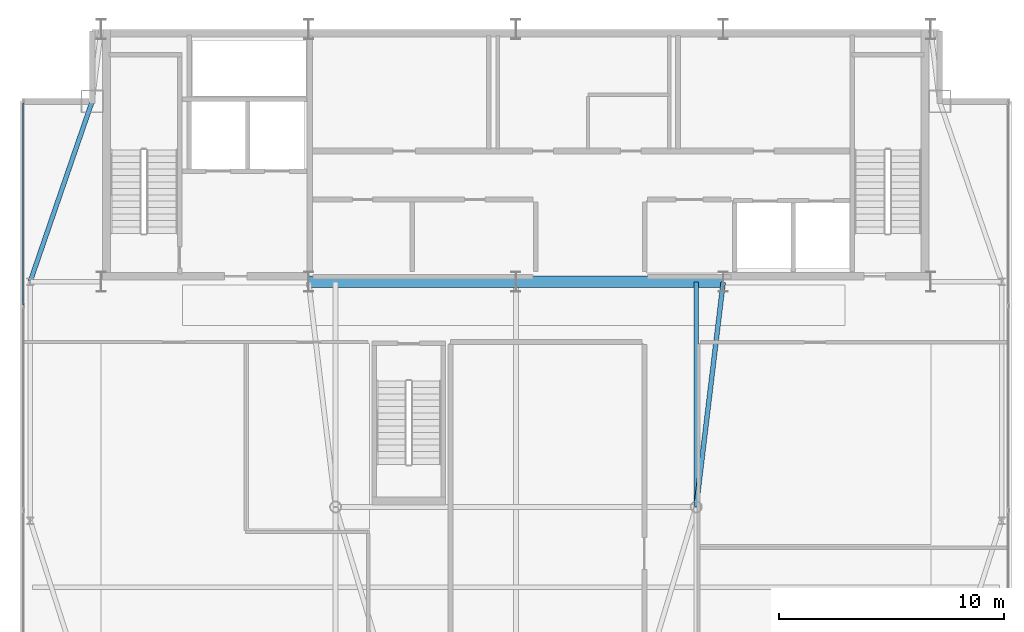
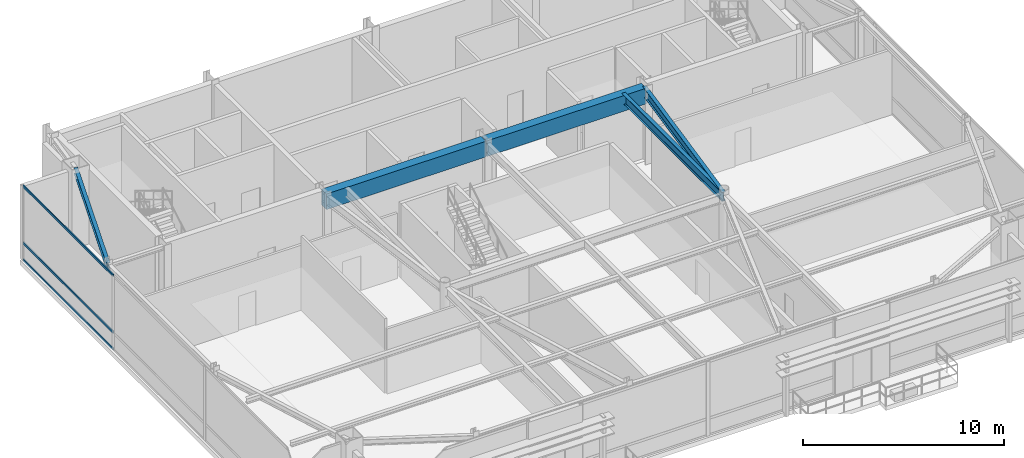
# One storey, part 10 of 22: 5 beams, 3 members, 1 element without a shape of its own.
"""IFC4 building model written with IfcOpenShell, lengths in metres."""

import ifcopenshell
import ifcopenshell.guid

model = None  # the IFC model being written
_history = None  # IfcOwnerHistory: only IFC2X3 demands one
_inside = {}  # id of a spatial element -> (the spatial element, [elements in it])
_under = {}  # id of a project, library or spatial element -> (it, [spatial elements below it])
_declared = {}  # id of a project -> (the project, [libraries it declares])
_typed = {}  # id of a type object -> (the type object, [elements of that type])
_made_of = {}  # id of a material, layer set ... -> (it, [elements and type objects made of it])


def new_model(schema):
    """Start an empty IFC model of exactly this schema.

    Asked for "IFC4X3", IfcOpenShell would pick the latest addendum, in which some entities
    have other attributes; the version numbers below select the first issue.
    IFC2X3 requires an IfcOwnerHistory on every rooted entity: one is made here for all.
    """
    global model, _history
    if schema == "IFC4X3":
        model = ifcopenshell.file(schema_version=(4, 3, 0, 0))
    else:
        model = ifcopenshell.file(schema=schema)
    _inside.clear()
    _under.clear()
    _declared.clear()
    _typed.clear()
    _made_of.clear()
    _history = None
    if model.schema == "IFC2X3":
        org = make("IfcOrganization", Name="unknown")
        user = make(
            "IfcPersonAndOrganization",
            ThePerson=make("IfcPerson", FamilyName="unknown"),
            TheOrganization=org,
        )
        app = make(
            "IfcApplication",
            ApplicationDeveloper=org,
            Version="unknown",
            ApplicationFullName="unknown",
            ApplicationIdentifier="unknown",
        )
        _history = make(
            "IfcOwnerHistory",
            OwningUser=user,
            OwningApplication=app,
            ChangeAction="ADDED",
            CreationDate=0,
        )
    return model


def make(cls, **values):
    """One entity of the class cls with the attributes given. An attribute that is None is left unset."""
    return model.create_entity(
        cls, **{name: value for name, value in values.items() if value is not None}
    )


def rooted(cls, **values):
    """An entity with a GlobalId (a new one), such as an element, a storey or a relation."""
    return make(cls, GlobalId=ifcopenshell.guid.new(), OwnerHistory=_history, **values)


def si_unit(unit_type, name, prefix=None):
    """IfcSIUnit, for example si_unit("LENGTHUNIT", "METRE", prefix="MILLI")."""
    return make("IfcSIUnit", UnitType=unit_type, Prefix=prefix, Name=name)


def assignment(units):
    """IfcUnitAssignment: the units of a project."""
    return None if units is None else make("IfcUnitAssignment", Units=units)


def point(xyz):
    """IfcCartesianPoint."""
    return None if xyz is None else make("IfcCartesianPoint", Coordinates=xyz)


def direction(xyz):
    """IfcDirection."""
    return None if xyz is None else make("IfcDirection", DirectionRatios=xyz)


def frame(location, z_axis=None, x_axis=None):
    """IfcAxis2Placement3D, a coordinate frame: its origin and axes. An axis left out is left unset."""
    return make(
        "IfcAxis2Placement3D",
        Location=point(location),
        Axis=direction(z_axis),
        RefDirection=direction(x_axis),
    )


def frame_2d(location, x_axis=None):
    """IfcAxis2Placement2D, a coordinate frame in the plane: its origin and x axis."""
    return make(
        "IfcAxis2Placement2D", Location=point(location), RefDirection=direction(x_axis)
    )


def origin():
    """The frame at (0, 0, 0) with its axes left unset."""
    return frame((0.0, 0.0, 0.0))


def origin_2d():
    """The frame at (0, 0) in the plane with its x axis left unset."""
    return frame_2d((0.0, 0.0))


def place(relative_to, where):
    """IfcLocalPlacement: puts the frame where relative to a parent placement (None: the world)."""
    return make(
        "IfcLocalPlacement", PlacementRelTo=relative_to, RelativePlacement=where
    )


def context(
    kind, dimensions, precision=None, world=None, true_north=None, identifier=None
):
    """IfcGeometricRepresentationContext, for example the 3D "Model" context."""
    return make(
        "IfcGeometricRepresentationContext",
        ContextIdentifier=identifier,
        ContextType=kind,
        CoordinateSpaceDimension=dimensions,
        Precision=precision,
        WorldCoordinateSystem=world,
        TrueNorth=true_north,
    )


def subcontext(parent, identifier, kind, view, scale=None):
    """IfcGeometricRepresentationSubContext, for example "Body" below "Model"."""
    return make(
        "IfcGeometricRepresentationSubContext",
        ContextIdentifier=identifier,
        ContextType=kind,
        ParentContext=parent,
        TargetScale=scale,
        TargetView=view,
    )


def project(units=None, contexts=None):
    """IfcProject with its units and contexts."""
    return rooted(
        "IfcProject",
        Name="project",
        RepresentationContexts=contexts,
        UnitsInContext=assignment(units),
    )


def spatial(cls, under=None, at=None, **own):
    """A site, building, storey or space (cls), placed at a placement, below another one or the project."""
    s = rooted(cls, ObjectPlacement=at, **own)
    if under is not None:
        _under.setdefault(under.id(), (under, []))[1].append(s)
    return s


def profile(cls, at=None, kind="AREA", **sizes):
    """A parametric profile (cls). Its sizes go by their IFC names, for example OverallWidth=200.0."""
    return make(cls, ProfileType=kind, Position=at, **sizes)


def rectangle(**sizes):
    """IfcRectangleProfileDef."""
    return profile("IfcRectangleProfileDef", **sizes)


def hollow_rectangle(**sizes):
    """IfcRectangleHollowProfileDef."""
    return profile("IfcRectangleHollowProfileDef", **sizes)


def i_section(**sizes):
    """IfcIShapeProfileDef."""
    return profile("IfcIShapeProfileDef", **sizes)


def extrude(swept, where, along, depth):
    """IfcExtrudedAreaSolid: the profile swept, set in the frame where, extruded along a direction by depth."""
    return make(
        "IfcExtrudedAreaSolid",
        SweptArea=swept,
        Position=where,
        ExtrudedDirection=direction(along),
        Depth=depth,
    )


def shape(context_of_items, identifier, shape_type, items):
    """IfcShapeRepresentation: the items that make up one representation, for example the "Body"."""
    return make(
        "IfcShapeRepresentation",
        ContextOfItems=context_of_items,
        RepresentationIdentifier=identifier,
        RepresentationType=shape_type,
        Items=items,
    )


def source(mapping_origin, context_of_items, identifier, shape_type, items):
    """IfcRepresentationMap: a shape defined once, which mapped items show again and again."""
    return make(
        "IfcRepresentationMap",
        MappingOrigin=mapping_origin,
        MappedRepresentation=shape(context_of_items, identifier, shape_type, items),
    )


def transform(
    local_origin,
    x_axis=None,
    y_axis=None,
    z_axis=None,
    scale=None,
    scale2=None,
    scale3=None,
    uniform=True,
):
    """IfcCartesianTransformationOperator3D, or its non-uniform kind. x_axis, y_axis, z_axis: its Axis1, 2, 3."""
    if uniform:
        return make(
            "IfcCartesianTransformationOperator3D",
            Axis1=direction(x_axis),
            Axis2=direction(y_axis),
            LocalOrigin=point(local_origin),
            Scale=scale,
            Axis3=direction(z_axis),
        )
    return make(
        "IfcCartesianTransformationOperator3DnonUniform",
        Axis1=direction(x_axis),
        Axis2=direction(y_axis),
        LocalOrigin=point(local_origin),
        Scale=scale,
        Axis3=direction(z_axis),
        Scale2=scale2,
        Scale3=scale3,
    )


def mapped(mapping_source, mapping_target):
    """IfcMappedItem: shows the shape of a source again, moved by a transform."""
    return make(
        "IfcMappedItem", MappingSource=mapping_source, MappingTarget=mapping_target
    )


def material(Name=None, Category=None):
    """IfcMaterial."""
    return make("IfcMaterial", Name=Name, Category=Category)


def layer(
    of_material, thickness, ventilated=None, Name=None, Category=None, Priority=None
):
    """IfcMaterialLayer: one layer of a wall or slab, of a material (None: an air gap)."""
    return make(
        "IfcMaterialLayer",
        Material=of_material,
        LayerThickness=thickness,
        IsVentilated=ventilated,
        Name=Name,
        Category=Category,
        Priority=Priority,
    )


def layer_set(layers, Name=None):
    """IfcMaterialLayerSet."""
    return make("IfcMaterialLayerSet", MaterialLayers=layers, LayerSetName=Name)


def material_profile(
    of_material, cross_section, Name=None, Category=None, Priority=None
):
    """IfcMaterialProfile: a cross section and its material."""
    return make(
        "IfcMaterialProfile",
        Name=Name,
        Material=of_material,
        Profile=cross_section,
        Priority=Priority,
        Category=Category,
    )


def profile_set(profiles, Name=None, composite=None):
    """IfcMaterialProfileSet."""
    return make(
        "IfcMaterialProfileSet",
        Name=Name,
        MaterialProfiles=profiles,
        CompositeProfile=composite,
    )


def made_of(thing, what):
    """Note that an element or type object is made of a material, layer set ...; save() writes the relation."""
    if what is not None:
        _made_of.setdefault(what.id(), (what, []))[1].append(thing)
    return thing


def type_object(cls, material=None, **own):
    """A type object (cls), such as IfcWallType, which elements share."""
    return made_of(rooted(cls, **own), material)


def type_shapes(of_type, sources):
    """Give a type object the sources (RepresentationMaps) that its elements show as mapped items."""
    of_type.RepresentationMaps = sources


def element(
    cls,
    number,
    at=None,
    inside=None,
    cuts=None,
    type_object=None,
    material=None,
    context=None,
    identifier="Body",
    shape_type=None,
    held_by="IfcProductDefinitionShape",
    body=None,
    shapes=None,
    **own,
):
    """One element of the class cls, such as IfcWall. Its Tag is "e" and its number.

    at: its placement. inside: the storey or other place that contains it. cuts: it is an
    opening in that element (IfcRelVoidsElement). A single representation is given by context,
    identifier, shape_type and body (its items); several are given by shapes. held_by: the class
    of the entity that holds the representations. save() writes the other relations.
    """
    e = rooted(cls, Tag="e%d" % number, ObjectPlacement=at, **own)
    if body is not None:
        shapes = [shape(context, identifier, shape_type, body)]
    if shapes is not None:
        e.Representation = make(held_by, Representations=shapes)
    if inside is not None:
        _inside.setdefault(inside.id(), (inside, []))[1].append(e)
    if cuts is not None:
        rooted(
            "IfcRelVoidsElement", RelatingBuildingElement=cuts, RelatedOpeningElement=e
        )
    if type_object is not None:
        _typed.setdefault(type_object.id(), (type_object, []))[1].append(e)
    return made_of(e, material)


def aggregate(whole, parts):
    """IfcRelAggregates: a whole, such as a stair, and the parts it consists of."""
    return rooted("IfcRelAggregates", RelatingObject=whole, RelatedObjects=parts)


def save(model, path):
    """Write the relations noted so far, then the file.

    IfcRelAggregates (storeys below a building ...), IfcRelContainedInSpatialStructure (elements
    in a storey), IfcRelDefinesByType, IfcRelAssociatesMaterial and IfcRelDeclares: one each for
    every whole, place, type object, material and project.
    """
    for whole, parts in _under.values():
        aggregate(whole, parts)
    for where, things in _inside.values():
        rooted(
            "IfcRelContainedInSpatialStructure",
            RelatedElements=things,
            RelatingStructure=where,
        )
    for kind, things in _typed.values():
        rooted("IfcRelDefinesByType", RelatedObjects=things, RelatingType=kind)
    for what, things in _made_of.values():
        rooted("IfcRelAssociatesMaterial", RelatedObjects=things, RelatingMaterial=what)
    for by, libraries in _declared.values():
        rooted("IfcRelDeclares", RelatingContext=by, RelatedDefinitions=libraries)
    model.write(path)


model = new_model("IFC4")

# Units and contexts
model_context = context("Model", 3, precision=1e-05, world=origin(), true_north=direction((0.0, 1.0)))
body_context = subcontext(model_context, "Body", "Model", "MODEL_VIEW")
ifc_project = project(units=[si_unit("LENGTHUNIT", "METRE"), si_unit("AREAUNIT", "SQUARE_METRE"), si_unit("VOLUMEUNIT", "CUBIC_METRE"), si_unit("PLANEANGLEUNIT", "RADIAN"), si_unit("MASSUNIT", "GRAM", prefix="KILO")], contexts=[model_context])

# Site, building, storey
site_placement = place(None, origin())
site = spatial("IfcSite", under=ifc_project, at=site_placement, CompositionType="ELEMENT")
building_placement = place(site_placement, origin())
building = spatial("IfcBuilding", under=site, at=building_placement, Name="Varnel Quay Broadcast Tower", CompositionType="ELEMENT")
storey_placement = place(building_placement, frame((0.0, 0.0, 305.0)))
storey = spatial("IfcBuildingStorey", under=building, at=storey_placement, Name="L76", CompositionType="ELEMENT", Elevation=305.0)

# Beams
ifc_material_1 = material(Name="Concrete CSA A23.3 C50/60", Category="concrete")
ifc_material_profile_1 = material_profile(ifc_material_1, rectangle(XDim=0.5, YDim=0.949951171875, at=origin_2d()), Name="RC500X950")
ifc_profile_set_1 = profile_set([ifc_material_profile_1], Name="Concrete CSA A23.3 C50/60")
beam_type_1 = type_object("IfcBeamType", Name="Beam_RC500X950", PredefinedType="BEAM", material=ifc_profile_set_1)
shared_shape_1 = source(origin(), body_context, "Body", "SweptSolid", [
    extrude(rectangle(XDim=0.5, YDim=0.949951171875, at=origin_2d()), origin(), (0.0, 0.0, 1.0), 9.159912109375),
])
type_shapes(beam_type_1, [shared_shape_1])
for number, where, z_axis, x_axis, name in (
    (1, (24.820068359375, 35.60009765625, 4.044921875), (1.0, 0.0, 0.0), (0.0, 1.0, 0.0), "L76 Core Coupling Beam W"),
    (2, (34.02001953125, 35.60009765625, 4.044921875), (1.0, 0.0, 0.0), (0.0, 1.0, 0.0), "L76 Core Coupling Beam E"),
):
    element("IfcBeam", number, at=place(storey_placement, frame(where, z_axis=z_axis, x_axis=x_axis)), inside=storey, type_object=beam_type_1, Name=name, PredefinedType="BEAM", context=body_context, shape_type="MappedRepresentation", body=[
        mapped(shared_shape_1, transform((0.0, 0.0, 0.0), x_axis=(1.0, 0.0, 0.0), y_axis=(0.0, 1.0, 0.0), z_axis=(0.0, 0.0, 1.0), scale=1.0)),
    ])
ifc_material_2 = material(Name="Structural Steel CSA G40.21 350W", Category="steel")
ifc_material_profile_2 = material_profile(ifc_material_2, i_section(OverallWidth=0.205078125, OverallDepth=0.35400390625, WebThickness=0.009521484375, FlangeThickness=0.016845703125, FilletRadius=0.012939453125, at=origin_2d()), Name="W360X79")
ifc_profile_set_2 = profile_set([ifc_material_profile_2], Name="Structural Steel CSA G40.21 350W")
beam_type_2 = type_object("IfcBeamType", Name="Beam_W360X79", PredefinedType="SPANDREL", material=ifc_profile_set_2)
shared_shape_2 = source(origin(), body_context, "Body", "SweptSolid", [
    extrude(i_section(OverallWidth=0.205078125, OverallDepth=0.35400390625, WebThickness=0.009521484375, FlangeThickness=0.016845703125, FilletRadius=0.012939453125, at=origin_2d()), origin(), (0.0, 0.0, 1.0), 8.41943359375),
])
type_shapes(beam_type_2, [shared_shape_2])
beam_1_placement = place(storey_placement, frame((12.45654296875, 35.618896484375, 4.343017578125), z_axis=(0.325087062108, 0.945684092099, 0.0), x_axis=(-0.945684092099, 0.325087062108, 0.0)))
element("IfcBeam", 3, at=beam_1_placement, inside=storey, type_object=beam_type_2, Name="L76 West Spandrel TC-W2-MC-NW", PredefinedType="SPANDREL", context=body_context, shape_type="MappedRepresentation", body=[
    mapped(shared_shape_2, transform((0.0, 0.0, 0.0), x_axis=(1.0, 0.0, 0.0), y_axis=(0.0, 1.0, 0.0), z_axis=(0.0, 0.0, 1.0), scale=1.0)),
])
ifc_material_profile_3 = material_profile(ifc_material_2, i_section(OverallWidth=0.2119140625, OverallDepth=0.5439453125, WebThickness=0.01318359375, FlangeThickness=0.021240234375, FilletRadius=0.013916015625, at=origin_2d()), Name="W530X123")
ifc_profile_set_3 = profile_set([ifc_material_profile_3], Name="Structural Steel CSA G40.21 350W")
beam_type_3 = type_object("IfcBeamType", Name="Girder_W530X123", PredefinedType="BEAM", material=ifc_profile_set_3)
shared_shape_3 = source(origin(), body_context, "Body", "SweptSolid", [
    extrude(i_section(OverallWidth=0.2119140625, OverallDepth=0.5439453125, WebThickness=0.01318359375, FlangeThickness=0.021240234375, FilletRadius=0.013916015625, at=origin_2d()), origin(), (0.0, 0.0, 1.0), 10.021728515625),
])
beam_2_placement = place(storey_placement, frame((42.00244140625, 25.6298828125, 4.248046875), z_axis=(0.119248005741, 0.992864498875, 0.0), x_axis=(-0.992864498875, 0.119248005741, 0.0)))
element("IfcBeam", 4, at=beam_2_placement, inside=storey, type_object=beam_type_3, Name="L76 Primary Girder IC-02-CC-S4", PredefinedType="BEAM", context=body_context, shape_type="MappedRepresentation", body=[
    mapped(shared_shape_3, transform((0.0, 0.0, 0.0), x_axis=(1.0, 0.0, 0.0), y_axis=(0.0, 1.0, 0.0), z_axis=(0.0, 0.0, 1.0), scale=1.0)),
])
shared_shape_4 = source(origin(), body_context, "Body", "SweptSolid", [
    extrude(i_section(OverallWidth=0.2119140625, OverallDepth=0.5439453125, WebThickness=0.01318359375, FlangeThickness=0.021240234375, FilletRadius=0.013916015625, at=origin_2d()), origin(), (0.0, 0.0, 1.0), 9.9501953125),
])
type_shapes(beam_type_3, [shared_shape_3, shared_shape_4])
beam_3_placement = place(storey_placement, frame((42.0, 25.6298828125, 4.248046875), z_axis=(0.0, 1.0, 0.0), x_axis=(-1.0, 0.0, 0.0)))
element("IfcBeam", 5, at=beam_3_placement, inside=storey, type_object=beam_type_3, Name="L76 N-S Joist Header IC-02N", PredefinedType="BEAM", context=body_context, shape_type="MappedRepresentation", body=[
    mapped(shared_shape_4, transform((0.0, 0.0, 0.0), x_axis=(1.0, 0.0, 0.0), y_axis=(0.0, 1.0, 0.0), z_axis=(0.0, 0.0, 1.0), scale=1.0)),
])

# Curtain wall, members
ifc_material_3 = material(Name="Anodised Bronze Aluminium 6063-T6", Category="aluminium")
ifc_layer = layer(ifc_material_3, 0.18994140625, Name="Anodised Bronze Aluminium 6063-T6")
ifc_layer_set = layer_set([ifc_layer], Name="Anodised Bronze Aluminium 6063-T6")
curtain_wall_type = type_object("IfcCurtainWallType", Name="CW_SkyObsHighVis", PredefinedType="NOTDEFINED", material=ifc_layer_set)
curtain_wall_placement = place(storey_placement, origin())
curtain_wall = element("IfcCurtainWall", 6, at=curtain_wall_placement, inside=storey, type_object=curtain_wall_type, Name="L76 West Unitised Curtain Wall", PredefinedType="NOTDEFINED")
ifc_material_profile_4 = material_profile(ifc_material_3, hollow_rectangle(XDim=0.06005859375, YDim=0.14501953125, WallThickness=0.00341796875, at=origin_2d()), Name="ALU60X145X3.5")
ifc_profile_set_4 = profile_set([ifc_material_profile_4], Name="Anodised Bronze Aluminium 6063-T6")
member_type = type_object("IfcMemberType", Name="Tran_CWS-05", PredefinedType="USERDEFINED", material=ifc_profile_set_4)
shared_shape_5 = source(origin(), body_context, "Body", "SweptSolid", [
    extrude(hollow_rectangle(XDim=0.06005859375, YDim=0.14501953125, WallThickness=0.00341796875, at=origin_2d()), origin(), (0.0, 0.0, 1.0), 8.9541015625),
])
type_shapes(member_type, [shared_shape_5])
member_1_placement = place(storey_placement, frame((12.14990234375, 34.57080078125, 0.030029296875), z_axis=(0.0, 1.0, 0.0), x_axis=(-1.0, 0.0, 0.0)))
member_1 = element("IfcMember", 7, at=member_1_placement, type_object=member_type, Name="CWS-05 transom 3.1", ObjectType="TRANSOM", PredefinedType="USERDEFINED", context=body_context, shape_type="MappedRepresentation", body=[
    mapped(shared_shape_5, transform((0.0, 0.0, 0.0), x_axis=(1.0, 0.0, 0.0), y_axis=(0.0, 1.0, 0.0), z_axis=(0.0, 0.0, 1.0), scale=1.0)),
])
member_2_placement = place(storey_placement, frame((12.14990234375, 34.57080078125, 1.050048828125), z_axis=(0.0, 1.0, 0.0), x_axis=(-1.0, 0.0, 0.0)))
member_2 = element("IfcMember", 8, at=member_2_placement, type_object=member_type, Name="CWS-05 transom 3.2", ObjectType="TRANSOM", PredefinedType="USERDEFINED", context=body_context, shape_type="MappedRepresentation", body=[
    mapped(shared_shape_5, transform((0.0, 0.0, 0.0), x_axis=(1.0, 0.0, 0.0), y_axis=(0.0, 1.0, 0.0), z_axis=(0.0, 0.0, 1.0), scale=1.0)),
])
member_3_placement = place(storey_placement, frame((12.14990234375, 34.57080078125, 4.489990234375), z_axis=(0.0, 1.0, 0.0), x_axis=(-1.0, 0.0, 0.0)))
member_3 = element("IfcMember", 9, at=member_3_placement, type_object=member_type, Name="CWS-05 transom 3.3", ObjectType="TRANSOM", PredefinedType="USERDEFINED", context=body_context, shape_type="MappedRepresentation", body=[
    mapped(shared_shape_5, transform((0.0, 0.0, 0.0), x_axis=(1.0, 0.0, 0.0), y_axis=(0.0, 1.0, 0.0), z_axis=(0.0, 0.0, 1.0), scale=1.0)),
])
aggregate(curtain_wall, [member_1, member_2, member_3])

save(model, "model.ifc")
